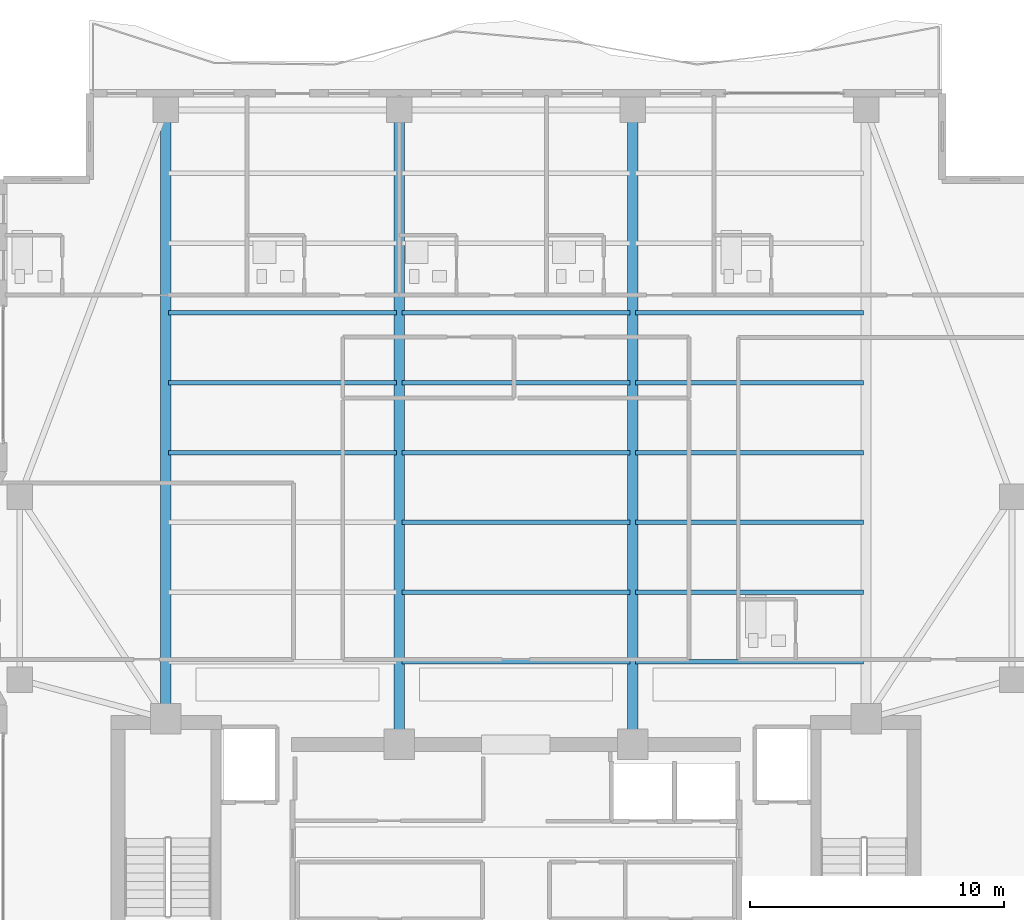
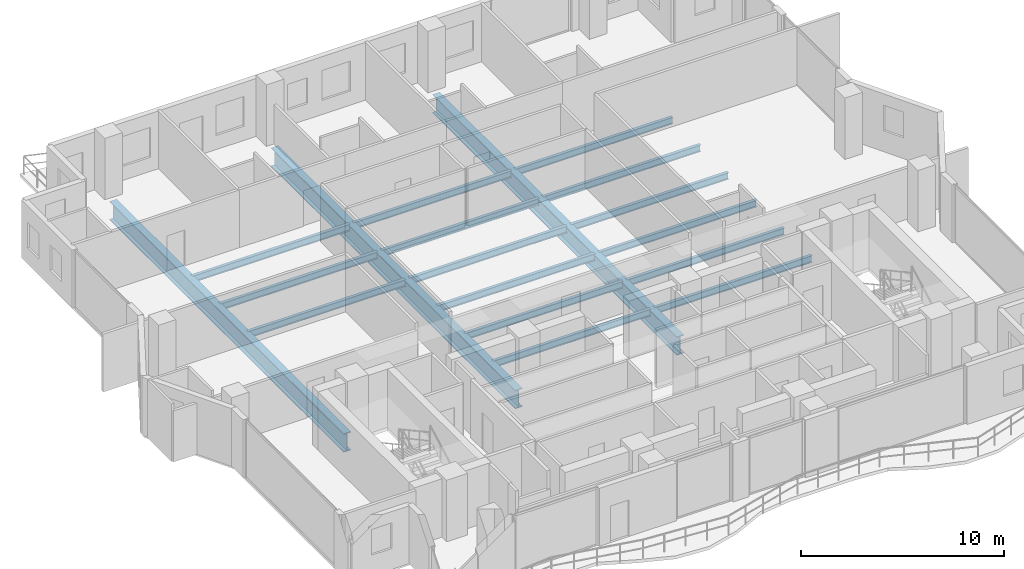
# One storey, part 7 of 26: 18 beams.
"""IFC4 building model written with IfcOpenShell, lengths in metres."""

from ifc_helpers import new_model, si_unit, direction, frame, origin, origin_2d, place, context, subcontext, project, spatial, i_section, extrude, material, material_profile, profile_set, type_object, element, save


model = new_model("IFC4")

# Units and contexts
model_context = context("Model", 3, precision=1e-05, world=origin(), true_north=direction((0.0, 1.0)))
body_context = subcontext(model_context, "Body", "Model", "MODEL_VIEW")
ifc_project = project(units=[si_unit("LENGTHUNIT", "METRE"), si_unit("AREAUNIT", "SQUARE_METRE"), si_unit("VOLUMEUNIT", "CUBIC_METRE"), si_unit("PLANEANGLEUNIT", "RADIAN"), si_unit("MASSUNIT", "GRAM", prefix="KILO")], contexts=[model_context])

# Site, building, storey
site_placement = place(None, origin())
site = spatial("IfcSite", under=ifc_project, at=site_placement, CompositionType="ELEMENT")
building_placement = place(site_placement, origin())
building = spatial("IfcBuilding", under=site, at=building_placement, Name="Zuhayl Quay Hotel", CompositionType="ELEMENT")
storey_placement = place(building_placement, frame((0.0, 0.0, 247.050048828125)))
storey = spatial("IfcBuildingStorey", under=building, at=storey_placement, Name="L62", CompositionType="ELEMENT", Elevation=247.050048828125)

# Beams
ifc_material_1 = material(Name="Steel ASTM A992 Grade 50", Category="steel")
ifc_material_profile_1 = material_profile(ifc_material_1, i_section(OverallWidth=0.177978515625, OverallDepth=0.404052734375, WebThickness=0.007568359375, FlangeThickness=0.010986328125, at=origin_2d()), Name="W16X36")
ifc_profile_set_1 = profile_set([ifc_material_profile_1], Name="Steel ASTM A992 Grade 50")
beam_type_1 = type_object("IfcBeamType", Name="BM_J3_W16X36", PredefinedType="JOIST", material=ifc_profile_set_1)
beam_1_placement = place(storey_placement, frame((-4.493896484375, 16.60009765625, -0.422119140625), z_axis=(1.0, 0.0, 0.0), x_axis=(0.0, 1.0, 0.0)))
element("IfcBeam", 1, at=beam_1_placement, inside=storey, type_object=beam_type_1, Name="L62 Floor Beam FJ_L62_1_2", PredefinedType="JOIST", context=body_context, shape_type="SweptSolid", body=[
    extrude(i_section(OverallWidth=0.177978515625, OverallDepth=0.404052734375, WebThickness=0.007568359375, FlangeThickness=0.010986328125, at=origin_2d()), origin(), (0.0, 0.0, 1.0), 8.98779296875),
])
beam_2_placement = place(storey_placement, frame((4.7060546875, 16.60009765625, -0.422119140625), z_axis=(1.0, 0.0, 0.0), x_axis=(0.0, 1.0, 0.0)))
element("IfcBeam", 2, at=beam_2_placement, inside=storey, type_object=beam_type_1, Name="L62 Floor Beam FJ_L62_1_3", PredefinedType="JOIST", context=body_context, shape_type="SweptSolid", body=[
    extrude(i_section(OverallWidth=0.177978515625, OverallDepth=0.404052734375, WebThickness=0.007568359375, FlangeThickness=0.010986328125, at=origin_2d()), origin(), (0.0, 0.0, 1.0), 8.988037109375),
])
beam_3_placement = place(storey_placement, frame((-4.493896484375, 19.35009765625, -0.422119140625), z_axis=(1.0, 0.0, 0.0), x_axis=(0.0, 1.0, 0.0)))
element("IfcBeam", 3, at=beam_3_placement, inside=storey, type_object=beam_type_1, Name="L62 Floor Beam FJ_L62_2_2", PredefinedType="JOIST", context=body_context, shape_type="SweptSolid", body=[
    extrude(i_section(OverallWidth=0.177978515625, OverallDepth=0.404052734375, WebThickness=0.007568359375, FlangeThickness=0.010986328125, at=origin_2d()), origin(), (0.0, 0.0, 1.0), 8.98779296875),
])
beam_4_placement = place(storey_placement, frame((4.7060546875, 19.35009765625, -0.422119140625), z_axis=(1.0, 0.0, 0.0), x_axis=(0.0, 1.0, 0.0)))
element("IfcBeam", 4, at=beam_4_placement, inside=storey, type_object=beam_type_1, Name="L62 Floor Beam FJ_L62_2_3", PredefinedType="JOIST", context=body_context, shape_type="SweptSolid", body=[
    extrude(i_section(OverallWidth=0.177978515625, OverallDepth=0.404052734375, WebThickness=0.007568359375, FlangeThickness=0.010986328125, at=origin_2d()), origin(), (0.0, 0.0, 1.0), 8.988037109375),
])
beam_5_placement = place(storey_placement, frame((-4.493896484375, 22.10009765625, -0.422119140625), z_axis=(1.0, 0.0, 0.0), x_axis=(0.0, 1.0, 0.0)))
element("IfcBeam", 5, at=beam_5_placement, inside=storey, type_object=beam_type_1, Name="L62 Floor Beam FJ_L62_3_2", PredefinedType="JOIST", context=body_context, shape_type="SweptSolid", body=[
    extrude(i_section(OverallWidth=0.177978515625, OverallDepth=0.404052734375, WebThickness=0.007568359375, FlangeThickness=0.010986328125, at=origin_2d()), origin(), (0.0, 0.0, 1.0), 8.98779296875),
])
for number, where, z_axis, x_axis, name in (
    (6, (4.7060546875, 22.10009765625, -0.422119140625), (1.0, 0.0, 0.0), (0.0, 1.0, 0.0), "L62 Floor Beam FJ_L62_3_3"),
    (7, (-13.694091796875, 24.85009765625, -0.422119140625), (1.0, 0.0, 0.0), (0.0, 1.0, 0.0), "L62 Floor Beam FJ_L62_4_1"),
):
    element("IfcBeam", number, at=place(storey_placement, frame(where, z_axis=z_axis, x_axis=x_axis)), inside=storey, type_object=beam_type_1, Name=name, PredefinedType="JOIST", context=body_context, shape_type="SweptSolid", body=[
        extrude(i_section(OverallWidth=0.177978515625, OverallDepth=0.404052734375, WebThickness=0.007568359375, FlangeThickness=0.010986328125, at=origin_2d()), origin(), (0.0, 0.0, 1.0), 8.988037109375),
    ])
beam_6_placement = place(storey_placement, frame((-4.493896484375, 24.85009765625, -0.422119140625), z_axis=(1.0, 0.0, 0.0), x_axis=(0.0, 1.0, 0.0)))
element("IfcBeam", 8, at=beam_6_placement, inside=storey, type_object=beam_type_1, Name="L62 Floor Beam FJ_L62_4_2", PredefinedType="JOIST", context=body_context, shape_type="SweptSolid", body=[
    extrude(i_section(OverallWidth=0.177978515625, OverallDepth=0.404052734375, WebThickness=0.007568359375, FlangeThickness=0.010986328125, at=origin_2d()), origin(), (0.0, 0.0, 1.0), 8.98779296875),
])
for number, where, z_axis, x_axis, name in (
    (9, (4.7060546875, 24.85009765625, -0.422119140625), (1.0, 0.0, 0.0), (0.0, 1.0, 0.0), "L62 Floor Beam FJ_L62_4_3"),
    (10, (-13.694091796875, 27.60009765625, -0.422119140625), (1.0, 0.0, 0.0), (0.0, 1.0, 0.0), "L62 Floor Beam FJ_L62_5_1"),
):
    element("IfcBeam", number, at=place(storey_placement, frame(where, z_axis=z_axis, x_axis=x_axis)), inside=storey, type_object=beam_type_1, Name=name, PredefinedType="JOIST", context=body_context, shape_type="SweptSolid", body=[
        extrude(i_section(OverallWidth=0.177978515625, OverallDepth=0.404052734375, WebThickness=0.007568359375, FlangeThickness=0.010986328125, at=origin_2d()), origin(), (0.0, 0.0, 1.0), 8.988037109375),
    ])
beam_7_placement = place(storey_placement, frame((-4.493896484375, 27.60009765625, -0.422119140625), z_axis=(1.0, 0.0, 0.0), x_axis=(0.0, 1.0, 0.0)))
element("IfcBeam", 11, at=beam_7_placement, inside=storey, type_object=beam_type_1, Name="L62 Floor Beam FJ_L62_5_2", PredefinedType="JOIST", context=body_context, shape_type="SweptSolid", body=[
    extrude(i_section(OverallWidth=0.177978515625, OverallDepth=0.404052734375, WebThickness=0.007568359375, FlangeThickness=0.010986328125, at=origin_2d()), origin(), (0.0, 0.0, 1.0), 8.98779296875),
])
for number, where, z_axis, x_axis, name in (
    (12, (4.7060546875, 27.60009765625, -0.422119140625), (1.0, 0.0, 0.0), (0.0, 1.0, 0.0), "L62 Floor Beam FJ_L62_5_3"),
    (13, (-13.694091796875, 30.35009765625, -0.422119140625), (1.0, 0.0, 0.0), (0.0, 1.0, 0.0), "L62 Floor Beam FJ_L62_6_1"),
):
    element("IfcBeam", number, at=place(storey_placement, frame(where, z_axis=z_axis, x_axis=x_axis)), inside=storey, type_object=beam_type_1, Name=name, PredefinedType="JOIST", context=body_context, shape_type="SweptSolid", body=[
        extrude(i_section(OverallWidth=0.177978515625, OverallDepth=0.404052734375, WebThickness=0.007568359375, FlangeThickness=0.010986328125, at=origin_2d()), origin(), (0.0, 0.0, 1.0), 8.988037109375),
    ])
beam_8_placement = place(storey_placement, frame((-4.493896484375, 30.35009765625, -0.422119140625), z_axis=(1.0, 0.0, 0.0), x_axis=(0.0, 1.0, 0.0)))
element("IfcBeam", 14, at=beam_8_placement, inside=storey, type_object=beam_type_1, Name="L62 Floor Beam FJ_L62_6_2", PredefinedType="JOIST", context=body_context, shape_type="SweptSolid", body=[
    extrude(i_section(OverallWidth=0.177978515625, OverallDepth=0.404052734375, WebThickness=0.007568359375, FlangeThickness=0.010986328125, at=origin_2d()), origin(), (0.0, 0.0, 1.0), 8.98779296875),
])
beam_9_placement = place(storey_placement, frame((4.7060546875, 30.35009765625, -0.422119140625), z_axis=(1.0, 0.0, 0.0), x_axis=(0.0, 1.0, 0.0)))
element("IfcBeam", 15, at=beam_9_placement, inside=storey, type_object=beam_type_1, Name="L62 Floor Beam FJ_L62_6_3", PredefinedType="JOIST", context=body_context, shape_type="SweptSolid", body=[
    extrude(i_section(OverallWidth=0.177978515625, OverallDepth=0.404052734375, WebThickness=0.007568359375, FlangeThickness=0.010986328125, at=origin_2d()), origin(), (0.0, 0.0, 1.0), 8.988037109375),
])
ifc_material_2 = material(Name="Steel ASTM A913 Grade 65", Category="steel")
ifc_material_profile_2 = material_profile(ifc_material_2, i_section(OverallWidth=0.404052734375, OverallDepth=1.117919921875, WebThickness=0.026123046875, FlangeThickness=0.044921875, at=origin_2d()), Name="W44X335")
ifc_profile_set_2 = profile_set([ifc_material_profile_2], Name="Steel ASTM A913 Grade 65")
beam_type_2 = type_object("IfcBeamType", Name="BM_TG1_W44X335", PredefinedType="BEAM", material=ifc_profile_set_2)
beam_10_placement = place(storey_placement, frame((-13.800048828125, 14.800048828125, -0.779052734375), z_axis=(0.0, 1.0, 0.0), x_axis=(-1.0, 0.0, 0.0)))
element("IfcBeam", 16, at=beam_10_placement, inside=storey, type_object=beam_type_2, Name="L62 Floor Beam FG_N_L62_1", PredefinedType="BEAM", context=body_context, shape_type="SweptSolid", body=[
    extrude(i_section(OverallWidth=0.404052734375, OverallDepth=1.117919921875, WebThickness=0.026123046875, FlangeThickness=0.044921875, at=origin_2d()), origin(), (0.0, 0.0, 1.0), 23.08984375),
])
for number, where, z_axis, x_axis, name in (
    (17, (-4.60009765625, 13.800048828125, -0.779052734375), (0.0, 1.0, 0.0), (-1.0, 0.0, 0.0), "L62 Floor Beam FG_N_L62_2"),
    (18, (4.60009765625, 13.800048828125, -0.779052734375), (0.0, 1.0, 0.0), (-1.0, 0.0, 0.0), "L62 Floor Beam FG_N_L62_3"),
):
    element("IfcBeam", number, at=place(storey_placement, frame(where, z_axis=z_axis, x_axis=x_axis)), inside=storey, type_object=beam_type_2, Name=name, PredefinedType="BEAM", context=body_context, shape_type="SweptSolid", body=[
        extrude(i_section(OverallWidth=0.404052734375, OverallDepth=1.117919921875, WebThickness=0.026123046875, FlangeThickness=0.044921875, at=origin_2d()), origin(), (0.0, 0.0, 1.0), 24.08984375),
    ])

save(model, "model.ifc")
